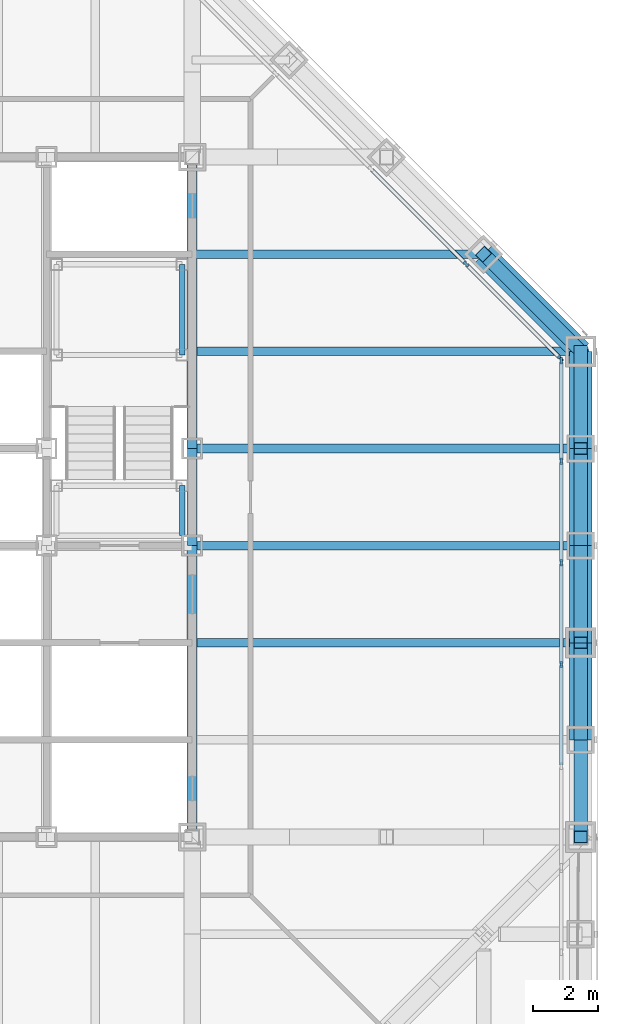
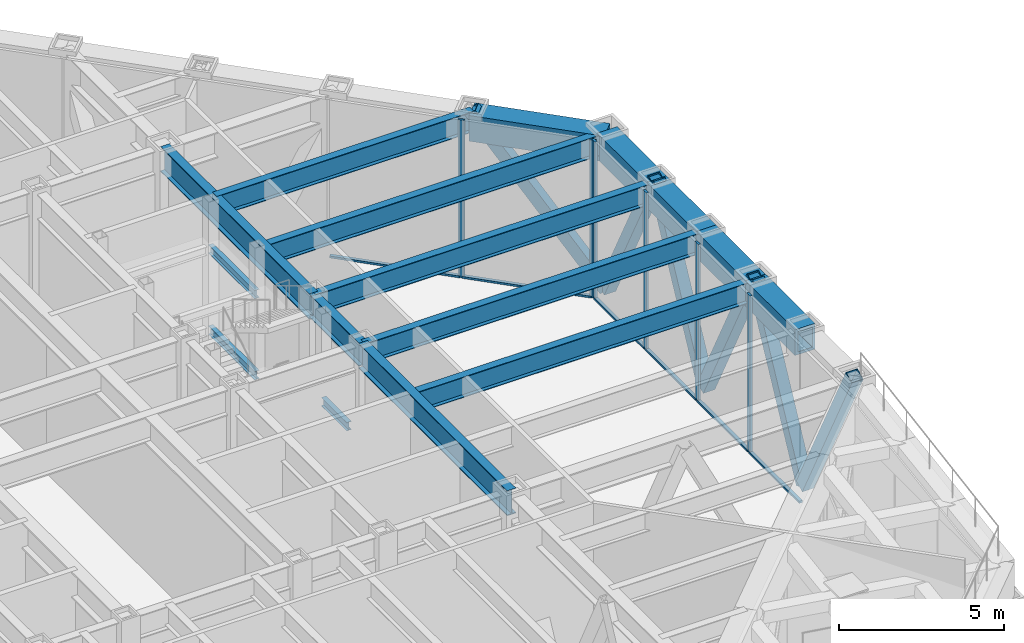
# One storey, part 7 of 28: 18 members, 16 beams, 2 elements without a shape of their own.
"""IFC4 building model written with IfcOpenShell, lengths in metres."""

import ifcopenshell
import ifcopenshell.guid

model = None  # the IFC model being written
_history = None  # IfcOwnerHistory: only IFC2X3 demands one
_inside = {}  # id of a spatial element -> (the spatial element, [elements in it])
_under = {}  # id of a project, library or spatial element -> (it, [spatial elements below it])
_declared = {}  # id of a project -> (the project, [libraries it declares])
_typed = {}  # id of a type object -> (the type object, [elements of that type])
_made_of = {}  # id of a material, layer set ... -> (it, [elements and type objects made of it])


def new_model(schema):
    """Start an empty IFC model of exactly this schema.

    Asked for "IFC4X3", IfcOpenShell would pick the latest addendum, in which some entities
    have other attributes; the version numbers below select the first issue.
    IFC2X3 requires an IfcOwnerHistory on every rooted entity: one is made here for all.
    """
    global model, _history
    if schema == "IFC4X3":
        model = ifcopenshell.file(schema_version=(4, 3, 0, 0))
    else:
        model = ifcopenshell.file(schema=schema)
    _inside.clear()
    _under.clear()
    _declared.clear()
    _typed.clear()
    _made_of.clear()
    _history = None
    if model.schema == "IFC2X3":
        org = make("IfcOrganization", Name="unknown")
        user = make(
            "IfcPersonAndOrganization",
            ThePerson=make("IfcPerson", FamilyName="unknown"),
            TheOrganization=org,
        )
        app = make(
            "IfcApplication",
            ApplicationDeveloper=org,
            Version="unknown",
            ApplicationFullName="unknown",
            ApplicationIdentifier="unknown",
        )
        _history = make(
            "IfcOwnerHistory",
            OwningUser=user,
            OwningApplication=app,
            ChangeAction="ADDED",
            CreationDate=0,
        )
    return model


def make(cls, **values):
    """One entity of the class cls with the attributes given. An attribute that is None is left unset."""
    return model.create_entity(
        cls, **{name: value for name, value in values.items() if value is not None}
    )


def rooted(cls, **values):
    """An entity with a GlobalId (a new one), such as an element, a storey or a relation."""
    return make(cls, GlobalId=ifcopenshell.guid.new(), OwnerHistory=_history, **values)


def si_unit(unit_type, name, prefix=None):
    """IfcSIUnit, for example si_unit("LENGTHUNIT", "METRE", prefix="MILLI")."""
    return make("IfcSIUnit", UnitType=unit_type, Prefix=prefix, Name=name)


def assignment(units):
    """IfcUnitAssignment: the units of a project."""
    return None if units is None else make("IfcUnitAssignment", Units=units)


def point(xyz):
    """IfcCartesianPoint."""
    return None if xyz is None else make("IfcCartesianPoint", Coordinates=xyz)


def direction(xyz):
    """IfcDirection."""
    return None if xyz is None else make("IfcDirection", DirectionRatios=xyz)


def frame(location, z_axis=None, x_axis=None):
    """IfcAxis2Placement3D, a coordinate frame: its origin and axes. An axis left out is left unset."""
    return make(
        "IfcAxis2Placement3D",
        Location=point(location),
        Axis=direction(z_axis),
        RefDirection=direction(x_axis),
    )


def frame_2d(location, x_axis=None):
    """IfcAxis2Placement2D, a coordinate frame in the plane: its origin and x axis."""
    return make(
        "IfcAxis2Placement2D", Location=point(location), RefDirection=direction(x_axis)
    )


def origin():
    """The frame at (0, 0, 0) with its axes left unset."""
    return frame((0.0, 0.0, 0.0))


def origin_2d():
    """The frame at (0, 0) in the plane with its x axis left unset."""
    return frame_2d((0.0, 0.0))


def place(relative_to, where):
    """IfcLocalPlacement: puts the frame where relative to a parent placement (None: the world)."""
    return make(
        "IfcLocalPlacement", PlacementRelTo=relative_to, RelativePlacement=where
    )


def context(
    kind, dimensions, precision=None, world=None, true_north=None, identifier=None
):
    """IfcGeometricRepresentationContext, for example the 3D "Model" context."""
    return make(
        "IfcGeometricRepresentationContext",
        ContextIdentifier=identifier,
        ContextType=kind,
        CoordinateSpaceDimension=dimensions,
        Precision=precision,
        WorldCoordinateSystem=world,
        TrueNorth=true_north,
    )


def subcontext(parent, identifier, kind, view, scale=None):
    """IfcGeometricRepresentationSubContext, for example "Body" below "Model"."""
    return make(
        "IfcGeometricRepresentationSubContext",
        ContextIdentifier=identifier,
        ContextType=kind,
        ParentContext=parent,
        TargetScale=scale,
        TargetView=view,
    )


def project(units=None, contexts=None):
    """IfcProject with its units and contexts."""
    return rooted(
        "IfcProject",
        Name="project",
        RepresentationContexts=contexts,
        UnitsInContext=assignment(units),
    )


def spatial(cls, under=None, at=None, **own):
    """A site, building, storey or space (cls), placed at a placement, below another one or the project."""
    s = rooted(cls, ObjectPlacement=at, **own)
    if under is not None:
        _under.setdefault(under.id(), (under, []))[1].append(s)
    return s


def profile(cls, at=None, kind="AREA", **sizes):
    """A parametric profile (cls). Its sizes go by their IFC names, for example OverallWidth=200.0."""
    return make(cls, ProfileType=kind, Position=at, **sizes)


def rectangle(**sizes):
    """IfcRectangleProfileDef."""
    return profile("IfcRectangleProfileDef", **sizes)


def hollow_rectangle(**sizes):
    """IfcRectangleHollowProfileDef."""
    return profile("IfcRectangleHollowProfileDef", **sizes)


def i_section(**sizes):
    """IfcIShapeProfileDef."""
    return profile("IfcIShapeProfileDef", **sizes)


def extrude(swept, where, along, depth):
    """IfcExtrudedAreaSolid: the profile swept, set in the frame where, extruded along a direction by depth."""
    return make(
        "IfcExtrudedAreaSolid",
        SweptArea=swept,
        Position=where,
        ExtrudedDirection=direction(along),
        Depth=depth,
    )


def shape(context_of_items, identifier, shape_type, items):
    """IfcShapeRepresentation: the items that make up one representation, for example the "Body"."""
    return make(
        "IfcShapeRepresentation",
        ContextOfItems=context_of_items,
        RepresentationIdentifier=identifier,
        RepresentationType=shape_type,
        Items=items,
    )


def material(Name=None, Category=None):
    """IfcMaterial."""
    return make("IfcMaterial", Name=Name, Category=Category)


def layer(
    of_material, thickness, ventilated=None, Name=None, Category=None, Priority=None
):
    """IfcMaterialLayer: one layer of a wall or slab, of a material (None: an air gap)."""
    return make(
        "IfcMaterialLayer",
        Material=of_material,
        LayerThickness=thickness,
        IsVentilated=ventilated,
        Name=Name,
        Category=Category,
        Priority=Priority,
    )


def layer_set(layers, Name=None):
    """IfcMaterialLayerSet."""
    return make("IfcMaterialLayerSet", MaterialLayers=layers, LayerSetName=Name)


def material_profile(
    of_material, cross_section, Name=None, Category=None, Priority=None
):
    """IfcMaterialProfile: a cross section and its material."""
    return make(
        "IfcMaterialProfile",
        Name=Name,
        Material=of_material,
        Profile=cross_section,
        Priority=Priority,
        Category=Category,
    )


def profile_set(profiles, Name=None, composite=None):
    """IfcMaterialProfileSet."""
    return make(
        "IfcMaterialProfileSet",
        Name=Name,
        MaterialProfiles=profiles,
        CompositeProfile=composite,
    )


def made_of(thing, what):
    """Note that an element or type object is made of a material, layer set ...; save() writes the relation."""
    if what is not None:
        _made_of.setdefault(what.id(), (what, []))[1].append(thing)
    return thing


def type_object(cls, material=None, **own):
    """A type object (cls), such as IfcWallType, which elements share."""
    return made_of(rooted(cls, **own), material)


def element(
    cls,
    number,
    at=None,
    inside=None,
    cuts=None,
    type_object=None,
    material=None,
    context=None,
    identifier="Body",
    shape_type=None,
    held_by="IfcProductDefinitionShape",
    body=None,
    shapes=None,
    **own,
):
    """One element of the class cls, such as IfcWall. Its Tag is "e" and its number.

    at: its placement. inside: the storey or other place that contains it. cuts: it is an
    opening in that element (IfcRelVoidsElement). A single representation is given by context,
    identifier, shape_type and body (its items); several are given by shapes. held_by: the class
    of the entity that holds the representations. save() writes the other relations.
    """
    e = rooted(cls, Tag="e%d" % number, ObjectPlacement=at, **own)
    if body is not None:
        shapes = [shape(context, identifier, shape_type, body)]
    if shapes is not None:
        e.Representation = make(held_by, Representations=shapes)
    if inside is not None:
        _inside.setdefault(inside.id(), (inside, []))[1].append(e)
    if cuts is not None:
        rooted(
            "IfcRelVoidsElement", RelatingBuildingElement=cuts, RelatedOpeningElement=e
        )
    if type_object is not None:
        _typed.setdefault(type_object.id(), (type_object, []))[1].append(e)
    return made_of(e, material)


def aggregate(whole, parts):
    """IfcRelAggregates: a whole, such as a stair, and the parts it consists of."""
    return rooted("IfcRelAggregates", RelatingObject=whole, RelatedObjects=parts)


def save(model, path):
    """Write the relations noted so far, then the file.

    IfcRelAggregates (storeys below a building ...), IfcRelContainedInSpatialStructure (elements
    in a storey), IfcRelDefinesByType, IfcRelAssociatesMaterial and IfcRelDeclares: one each for
    every whole, place, type object, material and project.
    """
    for whole, parts in _under.values():
        aggregate(whole, parts)
    for where, things in _inside.values():
        rooted(
            "IfcRelContainedInSpatialStructure",
            RelatedElements=things,
            RelatingStructure=where,
        )
    for kind, things in _typed.values():
        rooted("IfcRelDefinesByType", RelatedObjects=things, RelatingType=kind)
    for what, things in _made_of.values():
        rooted("IfcRelAssociatesMaterial", RelatedObjects=things, RelatingMaterial=what)
    for by, libraries in _declared.values():
        rooted("IfcRelDeclares", RelatingContext=by, RelatedDefinitions=libraries)
    model.write(path)


model = new_model("IFC4")

# Units and contexts
model_context = context("Model", 3, precision=1e-05, world=origin(), true_north=direction((0.0, 1.0)))
body_context = subcontext(model_context, "Body", "Model", "MODEL_VIEW")
ifc_project = project(units=[si_unit("LENGTHUNIT", "METRE"), si_unit("AREAUNIT", "SQUARE_METRE"), si_unit("VOLUMEUNIT", "CUBIC_METRE"), si_unit("PLANEANGLEUNIT", "RADIAN"), si_unit("MASSUNIT", "GRAM", prefix="KILO")], contexts=[model_context])

# Site, building, storey
site_placement = place(None, origin())
site = spatial("IfcSite", under=ifc_project, at=site_placement, CompositionType="ELEMENT")
building_placement = place(site_placement, origin())
building = spatial("IfcBuilding", under=site, at=building_placement, Name="Chuquiago Exchange Tower", CompositionType="ELEMENT")
storey_placement = place(building_placement, frame((0.0, 0.0, 174.0)))
storey = spatial("IfcBuildingStorey", under=building, at=storey_placement, Name="L38", CompositionType="ELEMENT", Elevation=174.0)

# Beams
ifc_material_1 = material(Name="Steel ASTM A992", Category="steel")
ifc_material_profile_1 = material_profile(ifc_material_1, i_section(OverallWidth=0.307373046875, OverallDepth=0.927001953125, WebThickness=0.01953125, FlangeThickness=0.031982421875, at=origin_2d()), Name="W36X194")
ifc_profile_set_1 = profile_set([ifc_material_profile_1], Name="Steel ASTM A992")
beam_type_1 = type_object("IfcBeamType", Name="B10 W36X194", PredefinedType="BEAM", material=ifc_profile_set_1)
for number, where, z_axis, x_axis, name in (
    (1, (33.0, 12.0, 5.37646484375), (0.0, 1.0, 0.0), (-1.0, 0.0, 0.0), "CB-L39-33_12-33_21"),
    (2, (33.0, 24.0, 5.37646484375), (0.0, 1.0, 0.0), (-1.0, 0.0, 0.0), "CB-L39-33_24-33_33"),
):
    element("IfcBeam", number, at=place(storey_placement, frame(where, z_axis=z_axis, x_axis=x_axis)), inside=storey, type_object=beam_type_1, Name=name, PredefinedType="BEAM", context=body_context, shape_type="SweptSolid", body=[
        extrude(i_section(OverallWidth=0.307373046875, OverallDepth=0.927001953125, WebThickness=0.01953125, FlangeThickness=0.031982421875, at=origin_2d()), origin(), (0.0, 0.0, 1.0), 9.0),
    ])
ifc_material_2 = material(Name="Steel ASTM A992", Category="steel")
ifc_material_profile_2 = material_profile(ifc_material_2, i_section(OverallWidth=0.2919921875, OverallDepth=0.8583984375, WebThickness=0.01708984375, FlangeThickness=0.031005859375, at=origin_2d()), Name="W33X169")
ifc_profile_set_2 = profile_set([ifc_material_profile_2], Name="Steel ASTM A992")
beam_type_2 = type_object("IfcBeamType", Name="B3 W33X169", PredefinedType="BEAM", material=ifc_profile_set_2)
beam_1_placement = place(storey_placement, frame((33.0, 21.0, 5.41064453125), z_axis=(0.0, 1.0, 0.0), x_axis=(-1.0, 0.0, 0.0)))
element("IfcBeam", 3, at=beam_1_placement, inside=storey, type_object=beam_type_2, Name="CB-L39-33_21-33_24", PredefinedType="BEAM", context=body_context, shape_type="SweptSolid", body=[
    extrude(i_section(OverallWidth=0.2919921875, OverallDepth=0.8583984375, WebThickness=0.01708984375, FlangeThickness=0.031005859375, at=origin_2d()), origin(), (0.0, 0.0, 1.0), 3.0),
])
ifc_material_3 = material(Name="Steel ASTM A992", Category="steel")
ifc_material_profile_3 = material_profile(ifc_material_3, i_section(OverallWidth=0.2666015625, OverallDepth=0.761962890625, WebThickness=0.014404296875, FlangeThickness=0.021484375, at=origin_2d()), Name="W30X116")
ifc_profile_set_3 = profile_set([ifc_material_profile_3], Name="Steel ASTM A992")
beam_type_3 = type_object("IfcBeamType", Name="B8 W30X116", PredefinedType="BEAM", material=ifc_profile_set_3)
for number, where, z_axis, x_axis, name in (
    (4, (33.0, 18.0, 5.458984375), (1.0, 0.0, 0.0), (0.0, 1.0, 0.0), "FB-L39-infill-33_18-45_18-0"),
    (5, (33.0, 21.0, 5.458984375), (1.0, 0.0, 0.0), (0.0, 1.0, 0.0), "FB-L39-infill-33_21-45_21-0"),
    (6, (33.0, 24.0, 5.458984375), (1.0, 0.0, 0.0), (0.0, 1.0, 0.0), "FB-L39-infill-33_24-45_24-0"),
    (7, (33.0, 27.0, 5.458984375), (1.0, 0.0, 0.0), (0.0, 1.0, 0.0), "FB-L39-infill-33_27-45_27-0"),
):
    element("IfcBeam", number, at=place(storey_placement, frame(where, z_axis=z_axis, x_axis=x_axis)), inside=storey, type_object=beam_type_3, Name=name, PredefinedType="BEAM", context=body_context, shape_type="SweptSolid", body=[
        extrude(i_section(OverallWidth=0.2666015625, OverallDepth=0.761962890625, WebThickness=0.014404296875, FlangeThickness=0.021484375, at=origin_2d()), origin(), (0.0, 0.0, 1.0), 12.0),
    ])
beam_2_placement = place(storey_placement, frame((33.0, 30.0, 5.458984375), z_axis=(1.0, 0.0, 0.0), x_axis=(0.0, 1.0, 0.0)))
element("IfcBeam", 8, at=beam_2_placement, inside=storey, type_object=beam_type_3, Name="FB-L39-infill-33_30-42_30-0", PredefinedType="BEAM", context=body_context, shape_type="SweptSolid", body=[
    extrude(i_section(OverallWidth=0.2666015625, OverallDepth=0.761962890625, WebThickness=0.014404296875, FlangeThickness=0.021484375, at=origin_2d()), origin(), (0.0, 0.0, 1.0), 9.0),
])

# Members
ifc_material_4 = material(Name="Steel ASTM A500 Grade C", Category="steel")
ifc_material_profile_4 = material_profile(ifc_material_4, hollow_rectangle(XDim=0.406494140625, YDim=0.406494140625, WallThickness=0.0146484375, at=origin_2d()), Name="HSS16X16X5/8")
ifc_profile_set_4 = profile_set([ifc_material_profile_4], Name="Steel ASTM A500 Grade C")
member_type_1 = type_object("IfcMemberType", Name="BT1 HSS16X16X5/8", PredefinedType="BRACE", material=ifc_profile_set_4)
for number, where, z_axis, x_axis, name in (
    (9, (45.0, 15.0, 0.0), (0.0, -0.456929540486, 0.889502892087), (1.0, 0.0, 0.0), "Belt truss L38 diagonal"),
    (10, (45.0, 15.0, 0.0), (0.0, 0.456929540486, 0.889502892087), (-1.0, 0.0, 0.0), "Belt truss L38 diagonal"),
    (11, (45.0, 21.0, 0.0), (0.0, -0.456929540486, 0.889502892087), (1.0, 0.0, 0.0), "Belt truss L38 diagonal"),
    (12, (45.0, 21.0, 0.0), (0.0, 0.456929540486, 0.889502892087), (-1.0, 0.0, 0.0), "Belt truss L38 diagonal"),
    (13, (45.0, 27.0, 0.0), (0.0, -0.456929540486, 0.889502892087), (1.0, 0.0, 0.0), "Belt truss L38 diagonal"),
):
    element("IfcMember", number, at=place(storey_placement, frame(where, z_axis=z_axis, x_axis=x_axis)), inside=storey, type_object=member_type_1, Name=name, PredefinedType="BRACE", context=body_context, shape_type="SweptSolid", body=[
        extrude(hollow_rectangle(XDim=0.406494140625, YDim=0.406494140625, WallThickness=0.0146484375, at=origin_2d()), origin(), (0.0, 0.0, 1.0), 6.565673828125),
    ])
member_1_placement = place(storey_placement, frame((45.0, 27.0, 0.0), z_axis=(-0.415599269943, 0.415599269943, 0.80904542125), x_axis=(-0.707106781187, -0.707106781187, 0.0)))
element("IfcMember", 14, at=member_1_placement, inside=storey, type_object=member_type_1, Name="Belt truss L38 diagonal", PredefinedType="BRACE", context=body_context, shape_type="SweptSolid", body=[
    extrude(hollow_rectangle(XDim=0.406494140625, YDim=0.406494140625, WallThickness=0.0146484375, at=origin_2d()), origin(), (0.0, 0.0, 1.0), 7.218505859375),
])

# Curtain wall, members
ifc_material_5 = material(Name="Aluminium curtain wall system", Category="aluminium")
ifc_layer = layer(ifc_material_5, 0.199951171875)
ifc_layer_set = layer_set([ifc_layer], Name="CW6 plant floor louvre wall")
curtain_wall_type = type_object("IfcCurtainWallType", Name="CW6 plant floor louvre wall", PredefinedType="NOTDEFINED", material=ifc_layer_set)
curtain_wall_1_placement = place(storey_placement, origin())
curtain_wall_1 = element("IfcCurtainWall", 15, at=curtain_wall_1_placement, inside=storey, type_object=curtain_wall_type, Name="CW6 curtain wall L38", PredefinedType="NOTDEFINED")
ifc_material_6 = material(Name="Aluminium mullion, pale anodised", Category="aluminium")
ifc_material_profile_5 = material_profile(ifc_material_6, rectangle(XDim=0.074951171875, YDim=0.199951171875, at=origin_2d()), Name="AL 75x200")
ifc_profile_set_5 = profile_set([ifc_material_profile_5], Name="Aluminium mullion, pale anodised")
member_type_2 = type_object("IfcMemberType", Name="CW6-M mullion 75x200", PredefinedType="MULLION", material=ifc_profile_set_5)
member_2_placement = place(storey_placement, frame((44.39990234375, 17.328369140625, 0.0), z_axis=(0.0, 0.0, 1.0), x_axis=(-1.0, 0.0, 0.0)))
member_2 = element("IfcMember", 16, at=member_2_placement, type_object=member_type_2, Name="CW6 mullion 3", PredefinedType="MULLION", context=body_context, shape_type="SweptSolid", body=[
    extrude(rectangle(XDim=0.074951171875, YDim=0.199951171875, at=origin_2d()), origin(), (0.0, 0.0, 1.0), 5.840087890625),
])
member_3_placement = place(storey_placement, frame((44.39990234375, 20.469482421875, 0.0), z_axis=(0.0, 0.0, 1.0), x_axis=(-1.0, 0.0, 0.0)))
member_3 = element("IfcMember", 17, at=member_3_placement, type_object=member_type_2, Name="CW6 mullion 4", PredefinedType="MULLION", context=body_context, shape_type="SweptSolid", body=[
    extrude(rectangle(XDim=0.074951171875, YDim=0.199951171875, at=origin_2d()), origin(), (0.0, 0.0, 1.0), 5.840087890625),
])
member_4_placement = place(storey_placement, frame((44.39990234375, 23.610595703125, 0.0), z_axis=(0.0, 0.0, 1.0), x_axis=(-1.0, 0.0, 0.0)))
member_4 = element("IfcMember", 18, at=member_4_placement, type_object=member_type_2, Name="CW6 mullion 5", PredefinedType="MULLION", context=body_context, shape_type="SweptSolid", body=[
    extrude(rectangle(XDim=0.074951171875, YDim=0.199951171875, at=origin_2d()), origin(), (0.0, 0.0, 1.0), 5.840087890625),
])
member_5_placement = place(storey_placement, frame((44.39990234375, 26.714111328125, 0.0), z_axis=(0.0, 0.0, 1.0), x_axis=(-1.0, 0.0, 0.0)))
member_5 = element("IfcMember", 19, at=member_5_placement, type_object=member_type_2, Name="CW6 mullion 6", PredefinedType="MULLION", context=body_context, shape_type="SweptSolid", body=[
    extrude(rectangle(XDim=0.074951171875, YDim=0.199951171875, at=origin_2d()), origin(), (0.0, 0.0, 1.0), 5.840087890625),
])

curtain_wall_2_placement = place(storey_placement, origin())
curtain_wall_2 = element("IfcCurtainWall", 20, at=curtain_wall_2_placement, inside=storey, type_object=curtain_wall_type, Name="CW6 curtain wall L38", PredefinedType="NOTDEFINED")
member_6_placement = place(storey_placement, frame((44.37353515625, 26.778076171875, 0.0), z_axis=(0.0, 0.0, 1.0), x_axis=(-0.707106781187, -0.707106781187, 0.0)))
member_6 = element("IfcMember", 21, at=member_6_placement, type_object=member_type_2, Name="CW6 mullion 1", PredefinedType="MULLION", context=body_context, shape_type="SweptSolid", body=[
    extrude(rectangle(XDim=0.074951171875, YDim=0.199951171875, at=origin_2d()), origin(), (0.0, 0.0, 1.0), 5.840087890625),
])
member_7_placement = place(storey_placement, frame((41.45849609375, 29.69287109375, 0.0), z_axis=(0.0, 0.0, 1.0), x_axis=(-0.707106781187, -0.707106781187, 0.0)))
member_7 = element("IfcMember", 22, at=member_7_placement, type_object=member_type_2, Name="CW6 mullion 2", PredefinedType="MULLION", context=body_context, shape_type="SweptSolid", body=[
    extrude(rectangle(XDim=0.074951171875, YDim=0.199951171875, at=origin_2d()), origin(), (0.0, 0.0, 1.0), 5.840087890625),
])

# Member
ifc_material_7 = material(Name="Aluminium transom, pale anodised", Category="aluminium")
ifc_material_profile_6 = material_profile(ifc_material_7, rectangle(XDim=0.1201171875, YDim=0.074951171875, at=origin_2d()), Name="AL 120x75")
ifc_profile_set_6 = profile_set([ifc_material_profile_6], Name="Aluminium transom, pale anodised")
member_type_3 = type_object("IfcMemberType", Name="CW6-T transom 75x120", PredefinedType="MULLION", material=ifc_profile_set_6)
member_8_placement = place(storey_placement, frame((44.39990234375, 14.224853515625, 0.03759765625), z_axis=(0.0, 1.0, 0.0), x_axis=(-1.0, 0.0, 0.0)))
member_8 = element("IfcMember", 23, at=member_8_placement, type_object=member_type_3, Name="CW6 transom 2.1", PredefinedType="MULLION", context=body_context, shape_type="SweptSolid", body=[
    extrude(rectangle(XDim=0.1201171875, YDim=0.074951171875, at=origin_2d()), origin(), (0.0, 0.0, 1.0), 3.066162109375),
])

member_9_placement = place(storey_placement, frame((44.39990234375, 17.365966796875, 0.03759765625), z_axis=(0.0, 1.0, 0.0), x_axis=(-1.0, 0.0, 0.0)))
member_9 = element("IfcMember", 24, at=member_9_placement, type_object=member_type_3, Name="CW6 transom 3.1", PredefinedType="MULLION", context=body_context, shape_type="SweptSolid", body=[
    extrude(rectangle(XDim=0.1201171875, YDim=0.074951171875, at=origin_2d()), origin(), (0.0, 0.0, 1.0), 3.06591796875),
])

member_10_placement = place(storey_placement, frame((44.39990234375, 20.507080078125, 0.03759765625), z_axis=(0.0, 1.0, 0.0), x_axis=(-1.0, 0.0, 0.0)))
member_10 = element("IfcMember", 25, at=member_10_placement, type_object=member_type_3, Name="CW6 transom 4.1", PredefinedType="MULLION", context=body_context, shape_type="SweptSolid", body=[
    extrude(rectangle(XDim=0.1201171875, YDim=0.074951171875, at=origin_2d()), origin(), (0.0, 0.0, 1.0), 3.06591796875),
])

member_11_placement = place(storey_placement, frame((44.39990234375, 23.64794921875, 0.03759765625), z_axis=(0.0, 1.0, 0.0), x_axis=(-1.0, 0.0, 0.0)))
member_11 = element("IfcMember", 26, at=member_11_placement, type_object=member_type_3, Name="CW6 transom 5.1", PredefinedType="MULLION", context=body_context, shape_type="SweptSolid", body=[
    extrude(rectangle(XDim=0.1201171875, YDim=0.074951171875, at=origin_2d()), origin(), (0.0, 0.0, 1.0), 3.028564453125),
])

aggregate(curtain_wall_1, [member_2, member_3, member_4, member_5, member_8, member_9, member_10, member_11])

member_12_placement = place(storey_placement, frame((44.346923828125, 26.804443359375, 0.03759765625), z_axis=(-0.707076620305, 0.707136940781, 0.0), x_axis=(-0.707136940781, -0.707076620305, 0.0)))
member_12 = element("IfcMember", 27, at=member_12_placement, type_object=member_type_3, Name="CW6 transom 1.1", PredefinedType="MULLION", context=body_context, shape_type="SweptSolid", body=[
    extrude(rectangle(XDim=0.1201171875, YDim=0.074951171875, at=origin_2d()), origin(), (0.0, 0.0, 1.0), 4.04736328125),
])

member_13_placement = place(storey_placement, frame((41.43212890625, 29.719482421875, 0.03759765625), z_axis=(-0.707106781187, 0.707106781187, 0.0), x_axis=(-0.707106781187, -0.707106781187, 0.0)))
member_13 = element("IfcMember", 28, at=member_13_placement, type_object=member_type_3, Name="CW6 transom 2.1", PredefinedType="MULLION", context=body_context, shape_type="SweptSolid", body=[
    extrude(rectangle(XDim=0.1201171875, YDim=0.074951171875, at=origin_2d()), origin(), (0.0, 0.0, 1.0), 4.0849609375),
])

aggregate(curtain_wall_2, [member_6, member_7, member_12, member_13])

# Beams
ifc_material_8 = material(Name="Steel ASTM A992", Category="steel")
ifc_material_profile_7 = material_profile(ifc_material_8, i_section(OverallWidth=0.164794921875, OverallDepth=0.309814453125, WebThickness=0.005859375, FlangeThickness=0.009765625, at=origin_2d()), Name="W12X26")
ifc_profile_set_7 = profile_set([ifc_material_profile_7], Name="Steel ASTM A992")
beam_type_4 = type_object("IfcBeamType", Name="LS1 W12X26", PredefinedType="BEAM", material=ifc_profile_set_7)
beam_3_placement = place(storey_placement, frame((32.68994140625, 26.889892578125, 1.14501953125), z_axis=(0.0, 1.0, 0.0), x_axis=(-1.0, 0.0, 0.0)))
element("IfcBeam", 29, at=beam_3_placement, inside=storey, type_object=beam_type_4, Name="Stair ST2 L38 landing 1 stringer", PredefinedType="BEAM", context=body_context, shape_type="SweptSolid", body=[
    extrude(i_section(OverallWidth=0.164794921875, OverallDepth=0.309814453125, WebThickness=0.005859375, FlangeThickness=0.009765625, at=origin_2d()), origin(), (0.0, 0.0, 1.0), 2.800048828125),
])
beam_4_placement = place(storey_placement, frame((32.68994140625, 21.31005859375, 2.64501953125), z_axis=(0.0, 1.0, 0.0), x_axis=(-1.0, 0.0, 0.0)))
element("IfcBeam", 30, at=beam_4_placement, inside=storey, type_object=beam_type_4, Name="Stair ST2 L38 landing 2 stringer", PredefinedType="BEAM", context=body_context, shape_type="SweptSolid", body=[
    extrude(i_section(OverallWidth=0.164794921875, OverallDepth=0.309814453125, WebThickness=0.005859375, FlangeThickness=0.009765625, at=origin_2d()), origin(), (0.0, 0.0, 1.0), 1.5400390625),
])
beam_5_placement = place(storey_placement, frame((32.68994140625, 26.889892578125, 4.14501953125), z_axis=(0.0, 1.0, 0.0), x_axis=(-1.0, 0.0, 0.0)))
element("IfcBeam", 31, at=beam_5_placement, inside=storey, type_object=beam_type_4, Name="Stair ST2 L38 landing 3 stringer", PredefinedType="BEAM", context=body_context, shape_type="SweptSolid", body=[
    extrude(i_section(OverallWidth=0.164794921875, OverallDepth=0.309814453125, WebThickness=0.005859375, FlangeThickness=0.009765625, at=origin_2d()), origin(), (0.0, 0.0, 1.0), 2.800048828125),
])
ifc_material_9 = material(Name="Steel ASTM A572 Grade 50", Category="steel")
ifc_material_profile_8 = material_profile(ifc_material_9, hollow_rectangle(XDim=0.699951171875, YDim=0.949951171875, WallThickness=0.10009765625, at=origin_2d()), Name="BOX950X700X100")
ifc_profile_set_8 = profile_set([ifc_material_profile_8], Name="Steel ASTM A572 Grade 50")
beam_type_5 = type_object("IfcBeamType", Name="SP5 BOX950X700X100", PredefinedType="SPANDREL", material=ifc_profile_set_8)
for number, where, z_axis, x_axis, name in (
    (32, (45.0, 15.0, 5.364990234375), (0.0, 1.0, 0.0), (-1.0, 0.0, 0.0), "SPB-L39-45_15-45_18"),
    (33, (45.0, 18.0, 5.364990234375), (0.0, 1.0, 0.0), (-1.0, 0.0, 0.0), "SPB-L39-45_18-45_21"),
    (34, (45.0, 21.0, 5.364990234375), (0.0, 1.0, 0.0), (-1.0, 0.0, 0.0), "SPB-L39-45_21-45_24"),
    (35, (45.0, 24.0, 5.364990234375), (0.0, 1.0, 0.0), (-1.0, 0.0, 0.0), "SPB-L39-45_24-45_27"),
):
    element("IfcBeam", number, at=place(storey_placement, frame(where, z_axis=z_axis, x_axis=x_axis)), inside=storey, type_object=beam_type_5, Name=name, PredefinedType="SPANDREL", context=body_context, shape_type="SweptSolid", body=[
        extrude(hollow_rectangle(XDim=0.699951171875, YDim=0.949951171875, WallThickness=0.10009765625, at=origin_2d()), origin(), (0.0, 0.0, 1.0), 3.0),
    ])
beam_6_placement = place(storey_placement, frame((45.0, 27.0, 5.364990234375), z_axis=(-0.707106781187, 0.707106781187, 0.0), x_axis=(-0.707106781187, -0.707106781187, 0.0)))
element("IfcBeam", 36, at=beam_6_placement, inside=storey, type_object=beam_type_5, Name="SPB-L39-45_27-42_30", PredefinedType="SPANDREL", context=body_context, shape_type="SweptSolid", body=[
    extrude(hollow_rectangle(XDim=0.699951171875, YDim=0.949951171875, WallThickness=0.10009765625, at=origin_2d()), origin(), (0.0, 0.0, 1.0), 4.24267578125),
])

save(model, "model.ifc")
